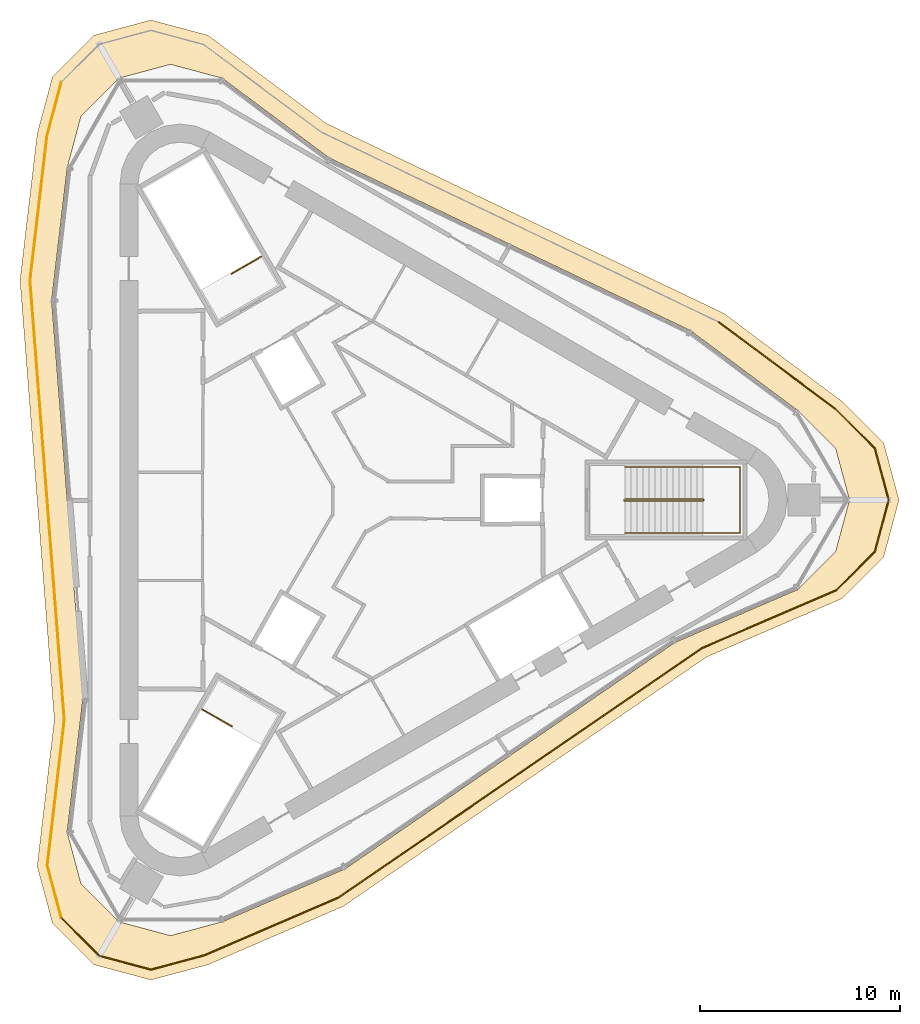
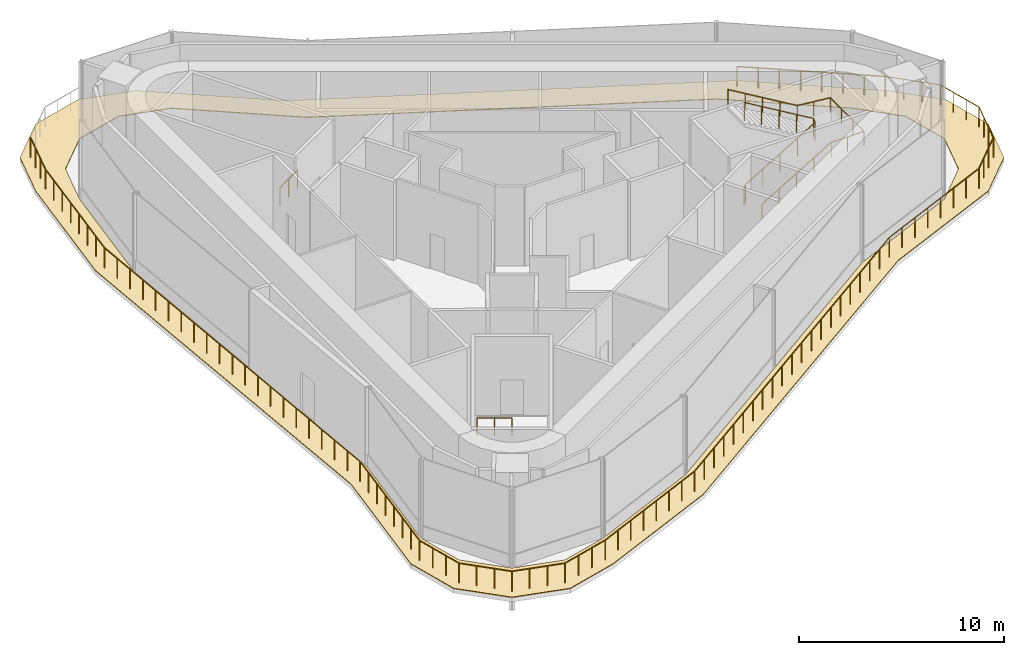
# One storey, part 7 of 8: 16 railings, 1 covering.
"""IFC4 building model written with IfcOpenShell, lengths in metres."""

from ifc_helpers import new_model, si_unit, direction, frame, origin, origin_2d, place, context, subcontext, project, spatial, polyline, circle, outline, extrude, material, layer, layer_set, type_object, element, save


model = new_model("IFC4")

# Units and contexts
model_context = context("Model", 3, precision=1e-05, world=origin(), true_north=direction((0.0, 1.0)))
body_context = subcontext(model_context, "Body", "Model", "MODEL_VIEW")
ifc_project = project(units=[si_unit("LENGTHUNIT", "METRE"), si_unit("AREAUNIT", "SQUARE_METRE"), si_unit("VOLUMEUNIT", "CUBIC_METRE"), si_unit("PLANEANGLEUNIT", "RADIAN"), si_unit("MASSUNIT", "GRAM", prefix="KILO")], contexts=[model_context])

# Site, building, storey
site_placement = place(None, origin())
site = spatial("IfcSite", under=ifc_project, at=site_placement, CompositionType="ELEMENT")
building_placement = place(site_placement, origin())
building = spatial("IfcBuilding", under=site, at=building_placement, Name="Tanit Gate Tower", CompositionType="ELEMENT")
storey_placement = place(building_placement, frame((0.0, 0.0, 440.300048828125)))
storey = spatial("IfcBuildingStorey", under=building, at=storey_placement, Name="L99", CompositionType="ELEMENT", Elevation=440.300048828125)

# Railings
ifc_material_1 = material(Name="Stainless steel", Category="steel")
railing_type_1 = type_object("IfcRailingType", Name="Guard 1200 terrace balustrade", PredefinedType="GUARDRAIL", material=ifc_material_1)
railing_1_placement = place(storey_placement, frame((23.6171875, 4.54150390625, 0.0400390625)))
element("IfcRailing", 1, at=railing_1_placement, inside=storey, type_object=railing_type_1, Name="Terrace guard L99 1", PredefinedType="GUARDRAIL", context=body_context, shape_type="SweptSolid", body=[
    extrude(circle(Radius=0.02392578125, at=origin_2d()), frame((0.0, 0.0, 1.17578125), z_axis=(0.707106781187, -0.707106781187, 0.0), x_axis=(0.707106781187, 0.707106781187, 0.0)), (0.0, 0.0, 1.0), 2.77099609375),
    extrude(circle(Radius=0.02392578125, at=origin_2d()), frame((1.95947265625, -1.95947265625, 1.17578125), z_axis=(0.258748259402, -0.965944790481, 0.0), x_axis=(0.965944790481, 0.258748259402, 0.0)), (0.0, 0.0, 1.0), 2.673095703125),
    extrude(circle(Radius=0.02099609375, at=origin_2d()), origin(), (0.0, 0.0, 1.0), 1.15185546875),
    extrude(circle(Radius=0.02099609375, at=origin_2d()), frame((0.653076171875, -0.653076171875, 0.0)), (0.0, 0.0, 1.0), 1.15185546875),
    extrude(circle(Radius=0.02099609375, at=origin_2d()), frame((1.306396484375, -1.306396484375, 0.0)), (0.0, 0.0, 1.0), 1.15185546875),
    extrude(circle(Radius=0.02099609375, at=origin_2d()), frame((1.95947265625, -1.95947265625, 0.0)), (0.0, 0.0, 1.0), 1.15185546875),
    extrude(circle(Radius=0.02099609375, at=origin_2d()), frame((2.18994140625, -2.820068359375, 0.0)), (0.0, 0.0, 1.0), 1.15185546875),
    extrude(circle(Radius=0.02099609375, at=origin_2d()), frame((2.420654296875, -3.680908203125, 0.0)), (0.0, 0.0, 1.0), 1.15185546875),
    extrude(circle(Radius=0.02099609375, at=origin_2d()), frame((2.651123046875, -4.54150390625, 0.0)), (0.0, 0.0, 1.0), 1.15185546875),
])
railing_2_placement = place(storey_placement, frame((26.268310546875, 0.0, 0.0400390625)))
element("IfcRailing", 2, at=railing_2_placement, inside=storey, type_object=railing_type_1, Name="Terrace guard L99 1", PredefinedType="GUARDRAIL", context=body_context, shape_type="SweptSolid", body=[
    extrude(circle(Radius=0.02392578125, at=origin_2d()), frame((0.0, 0.0, 1.17578125), z_axis=(-0.258748259402, -0.965944790481, 0.0), x_axis=(0.965944790481, -0.258748259402, 0.0)), (0.0, 0.0, 1.0), 2.673095703125),
    extrude(circle(Radius=0.02392578125, at=origin_2d()), frame((-0.691650390625, -2.58203125, 1.17578125), z_axis=(-0.707106781187, -0.707106781187, 0.0), x_axis=(0.707106781187, -0.707106781187, 0.0)), (0.0, 0.0, 1.0), 2.711669921875),
    extrude(circle(Radius=0.02099609375, at=origin_2d()), origin(), (0.0, 0.0, 1.0), 1.15185546875),
    extrude(circle(Radius=0.02099609375, at=origin_2d()), frame((-0.23046875, -0.860595703125, 0.0)), (0.0, 0.0, 1.0), 1.15185546875),
    extrude(circle(Radius=0.02099609375, at=origin_2d()), frame((-0.461181640625, -1.721435546875, 0.0)), (0.0, 0.0, 1.0), 1.15185546875),
    extrude(circle(Radius=0.02099609375, at=origin_2d()), frame((-0.691650390625, -2.58203125, 0.0)), (0.0, 0.0, 1.0), 1.15185546875),
    extrude(circle(Radius=0.02099609375, at=origin_2d()), frame((-1.330810546875, -3.22119140625, 0.0)), (0.0, 0.0, 1.0), 1.15185546875),
    extrude(circle(Radius=0.02099609375, at=origin_2d()), frame((-1.969970703125, -3.8603515625, 0.0)), (0.0, 0.0, 1.0), 1.15185546875),
    extrude(circle(Radius=0.02099609375, at=origin_2d()), frame((-2.609130859375, -4.49951171875, 0.0)), (0.0, 0.0, 1.0), 1.15185546875),
])
railing_3_placement = place(storey_placement, frame((23.6591796875, -4.49951171875, 0.0400390625)))
element("IfcRailing", 3, at=railing_3_placement, inside=storey, type_object=railing_type_1, Name="Terrace guard L99 1", PredefinedType="GUARDRAIL", context=body_context, shape_type="SweptSolid", body=[
    extrude(circle(Radius=0.02392578125, at=origin_2d()), frame((0.0, 0.0, 1.17578125), z_axis=(-0.918303791551, -0.395876428224, 0.0), x_axis=(0.395876428224, -0.918303791551, 0.0)), (0.0, 0.0, 1.0), 7.3134765625),
    extrude(circle(Radius=0.02099609375, at=origin_2d()), origin(), (0.0, 0.0, 1.0), 1.15185546875),
    extrude(circle(Radius=0.02099609375, at=origin_2d()), frame((-0.95947265625, -0.41357421875, 0.0)), (0.0, 0.0, 1.0), 1.15185546875),
    extrude(circle(Radius=0.02099609375, at=origin_2d()), frame((-1.9189453125, -0.8271484375, 0.0)), (0.0, 0.0, 1.0), 1.15185546875),
    extrude(circle(Radius=0.02099609375, at=origin_2d()), frame((-2.87841796875, -1.24072265625, 0.0)), (0.0, 0.0, 1.0), 1.15185546875),
    extrude(circle(Radius=0.02099609375, at=origin_2d()), frame((-3.837646484375, -1.654541015625, 0.0)), (0.0, 0.0, 1.0), 1.15185546875),
    extrude(circle(Radius=0.02099609375, at=origin_2d()), frame((-4.797119140625, -2.068115234375, 0.0)), (0.0, 0.0, 1.0), 1.15185546875),
    extrude(circle(Radius=0.02099609375, at=origin_2d()), frame((-5.756591796875, -2.481689453125, 0.0)), (0.0, 0.0, 1.0), 1.15185546875),
    extrude(circle(Radius=0.02099609375, at=origin_2d()), frame((-6.716064453125, -2.895263671875, 0.0)), (0.0, 0.0, 1.0), 1.15185546875),
])
railing_4_placement = place(storey_placement, frame((16.943115234375, -7.394775390625, 0.0400390625)))
element("IfcRailing", 4, at=railing_4_placement, inside=storey, type_object=railing_type_1, Name="Terrace guard L99 1", PredefinedType="GUARDRAIL", context=body_context, shape_type="SweptSolid", body=[
    extrude(circle(Radius=0.02392578125, at=origin_2d()), frame((0.0, 0.0, 1.17578125), z_axis=(-0.824485940476, -0.565882438283, 0.0), x_axis=(0.565882438283, -0.824485940476, 0.0)), (0.0, 0.0, 1.0), 10.99951171875),
    extrude(circle(Radius=0.02099609375, at=origin_2d()), origin(), (0.0, 0.0, 1.0), 1.15185546875),
    extrude(circle(Radius=0.02099609375, at=origin_2d()), frame((-0.906982421875, -0.62255859375, 0.0)), (0.0, 0.0, 1.0), 1.15185546875),
    extrude(circle(Radius=0.02099609375, at=origin_2d()), frame((-1.813720703125, -1.244873046875, 0.0)), (0.0, 0.0, 1.0), 1.15185546875),
    extrude(circle(Radius=0.02099609375, at=origin_2d()), frame((-2.720703125, -1.8671875, 0.0)), (0.0, 0.0, 1.0), 1.15185546875),
    extrude(circle(Radius=0.02099609375, at=origin_2d()), frame((-3.62744140625, -2.48974609375, 0.0)), (0.0, 0.0, 1.0), 1.15185546875),
    extrude(circle(Radius=0.02099609375, at=origin_2d()), frame((-4.534423828125, -3.1123046875, 0.0)), (0.0, 0.0, 1.0), 1.15185546875),
    extrude(circle(Radius=0.02099609375, at=origin_2d()), frame((-5.44140625, -3.734619140625, 0.0)), (0.0, 0.0, 1.0), 1.15185546875),
    extrude(circle(Radius=0.02099609375, at=origin_2d()), frame((-6.34814453125, -4.35693359375, 0.0)), (0.0, 0.0, 1.0), 1.15185546875),
    extrude(circle(Radius=0.02099609375, at=origin_2d()), frame((-7.255126953125, -4.9794921875, 0.0)), (0.0, 0.0, 1.0), 1.15185546875),
    extrude(circle(Radius=0.02099609375, at=origin_2d()), frame((-8.161865234375, -5.60205078125, 0.0)), (0.0, 0.0, 1.0), 1.15185546875),
    extrude(circle(Radius=0.02099609375, at=origin_2d()), frame((-9.06884765625, -6.224365234375, 0.0)), (0.0, 0.0, 1.0), 1.15185546875),
])
railing_5_placement = place(storey_placement, frame((7.874267578125, -13.619140625, 0.0400390625)))
element("IfcRailing", 5, at=railing_5_placement, inside=storey, type_object=railing_type_1, Name="Terrace guard L99 1", PredefinedType="GUARDRAIL", context=body_context, shape_type="SweptSolid", body=[
    extrude(circle(Radius=0.02392578125, at=origin_2d()), frame((0.0, 0.0, 1.17578125), z_axis=(-0.82447558474, -0.565897526208, 0.0), x_axis=(0.565897526208, -0.82447558474, 0.0)), (0.0, 0.0, 1.0), 10.99951171875),
    extrude(circle(Radius=0.02099609375, at=origin_2d()), origin(), (0.0, 0.0, 1.0), 1.15185546875),
    extrude(circle(Radius=0.02099609375, at=origin_2d()), frame((-0.906982421875, -0.62255859375, 0.0)), (0.0, 0.0, 1.0), 1.15185546875),
    extrude(circle(Radius=0.02099609375, at=origin_2d()), frame((-1.813720703125, -1.244873046875, 0.0)), (0.0, 0.0, 1.0), 1.15185546875),
    extrude(circle(Radius=0.02099609375, at=origin_2d()), frame((-2.720703125, -1.867431640625, 0.0)), (0.0, 0.0, 1.0), 1.15185546875),
    extrude(circle(Radius=0.02099609375, at=origin_2d()), frame((-3.62744140625, -2.48974609375, 0.0)), (0.0, 0.0, 1.0), 1.15185546875),
    extrude(circle(Radius=0.02099609375, at=origin_2d()), frame((-4.534423828125, -3.1123046875, 0.0)), (0.0, 0.0, 1.0), 1.15185546875),
    extrude(circle(Radius=0.02099609375, at=origin_2d()), frame((-5.44140625, -3.73486328125, 0.0)), (0.0, 0.0, 1.0), 1.15185546875),
    extrude(circle(Radius=0.02099609375, at=origin_2d()), frame((-6.34814453125, -4.357177734375, 0.0)), (0.0, 0.0, 1.0), 1.15185546875),
    extrude(circle(Radius=0.02099609375, at=origin_2d()), frame((-7.255126953125, -4.979736328125, 0.0)), (0.0, 0.0, 1.0), 1.15185546875),
    extrude(circle(Radius=0.02099609375, at=origin_2d()), frame((-8.161865234375, -5.60205078125, 0.0)), (0.0, 0.0, 1.0), 1.15185546875),
    extrude(circle(Radius=0.02099609375, at=origin_2d()), frame((-9.06884765625, -6.224609375, 0.0)), (0.0, 0.0, 1.0), 1.15185546875),
])
railing_6_placement = place(storey_placement, frame((-1.194580078125, -19.84375, 0.0400390625)))
element("IfcRailing", 6, at=railing_6_placement, inside=storey, type_object=railing_type_1, Name="Terrace guard L99 1", PredefinedType="GUARDRAIL", context=body_context, shape_type="SweptSolid", body=[
    extrude(circle(Radius=0.02392578125, at=origin_2d()), frame((0.0, 0.0, 1.17578125), z_axis=(-0.91830810231, -0.395866428523, 0.0), x_axis=(0.395866428523, -0.91830810231, 0.0)), (0.0, 0.0, 1.0), 7.275390625),
    extrude(circle(Radius=0.02392578125, at=origin_2d()), frame((-6.68115234375, -2.880126953125, 1.17578125), z_axis=(-0.965931532633, -0.258797747796, 0.0), x_axis=(0.258797747796, -0.965931532633, 0.0)), (0.0, 0.0, 1.0), 2.770751953125),
    extrude(circle(Radius=0.02099609375, at=origin_2d()), origin(), (0.0, 0.0, 1.0), 1.15185546875),
    extrude(circle(Radius=0.02099609375, at=origin_2d()), frame((-0.954345703125, -0.411376953125, 0.0)), (0.0, 0.0, 1.0), 1.15185546875),
    extrude(circle(Radius=0.02099609375, at=origin_2d()), frame((-1.908935546875, -0.822998046875, 0.0)), (0.0, 0.0, 1.0), 1.15185546875),
    extrude(circle(Radius=0.02099609375, at=origin_2d()), frame((-2.86328125, -1.234375, 0.0)), (0.0, 0.0, 1.0), 1.15185546875),
    extrude(circle(Radius=0.02099609375, at=origin_2d()), frame((-3.81787109375, -1.645751953125, 0.0)), (0.0, 0.0, 1.0), 1.15185546875),
    extrude(circle(Radius=0.02099609375, at=origin_2d()), frame((-4.772216796875, -2.05712890625, 0.0)), (0.0, 0.0, 1.0), 1.15185546875),
    extrude(circle(Radius=0.02099609375, at=origin_2d()), frame((-5.726806640625, -2.46875, 0.0)), (0.0, 0.0, 1.0), 1.15185546875),
    extrude(circle(Radius=0.02099609375, at=origin_2d()), frame((-6.68115234375, -2.880126953125, 0.0)), (0.0, 0.0, 1.0), 1.15185546875),
    extrude(circle(Radius=0.02099609375, at=origin_2d()), frame((-7.5732421875, -3.119140625, 0.0)), (0.0, 0.0, 1.0), 1.15185546875),
    extrude(circle(Radius=0.02099609375, at=origin_2d()), frame((-8.46533203125, -3.358154296875, 0.0)), (0.0, 0.0, 1.0), 1.15185546875),
    extrude(circle(Radius=0.02099609375, at=origin_2d()), frame((-9.357421875, -3.59716796875, 0.0)), (0.0, 0.0, 1.0), 1.15185546875),
])
railing_7_placement = place(storey_placement, frame((-10.552001953125, -23.44091796875, 0.0400390625)))
element("IfcRailing", 7, at=railing_7_placement, inside=storey, type_object=railing_type_1, Name="Terrace guard L99 1", PredefinedType="GUARDRAIL", context=body_context, shape_type="SweptSolid", body=[
    extrude(circle(Radius=0.02392578125, at=origin_2d()), frame((0.0, 0.0, 1.17578125), z_axis=(-0.965928077566, 0.258810643077, 0.0), x_axis=(-0.258810643077, -0.965928077566, 0.0)), (0.0, 0.0, 1.0), 2.67333984375),
    extrude(circle(Radius=0.02392578125, at=origin_2d()), frame((-2.582275390625, 0.69189453125, 1.17578125), z_axis=(-0.707106781187, 0.707106781187, 0.0), x_axis=(-0.707106781187, -0.707106781187, 0.0)), (0.0, 0.0, 1.0), 2.673095703125),
    extrude(circle(Radius=0.02099609375, at=origin_2d()), origin(), (0.0, 0.0, 1.0), 1.15185546875),
    extrude(circle(Radius=0.02099609375, at=origin_2d()), frame((-0.86083984375, 0.230712890625, 0.0)), (0.0, 0.0, 1.0), 1.15185546875),
    extrude(circle(Radius=0.02099609375, at=origin_2d()), frame((-1.721435546875, 0.461181640625, 0.0)), (0.0, 0.0, 1.0), 1.15185546875),
    extrude(circle(Radius=0.02099609375, at=origin_2d()), frame((-2.582275390625, 0.69189453125, 0.0)), (0.0, 0.0, 1.0), 1.15185546875),
    extrude(circle(Radius=0.02099609375, at=origin_2d()), frame((-3.21240234375, 1.322021484375, 0.0)), (0.0, 0.0, 1.0), 1.15185546875),
    extrude(circle(Radius=0.02099609375, at=origin_2d()), frame((-3.84228515625, 1.951904296875, 0.0)), (0.0, 0.0, 1.0), 1.15185546875),
    extrude(circle(Radius=0.02099609375, at=origin_2d()), frame((-4.472412109375, 2.58203125, 0.0)), (0.0, 0.0, 1.0), 1.15185546875),
])
railing_8_placement = place(storey_placement, frame((-15.0244140625, -20.85888671875, 0.0400390625)))
element("IfcRailing", 8, at=railing_8_placement, inside=storey, type_object=railing_type_1, Name="Terrace guard L99 1", PredefinedType="GUARDRAIL", context=body_context, shape_type="SweptSolid", body=[
    extrude(circle(Radius=0.02392578125, at=origin_2d()), frame((0.0, 0.0, 1.17578125), z_axis=(-0.258856096713, 0.965915897578, 0.0), x_axis=(-0.965915897578, -0.258856096713, 0.0)), (0.0, 0.0, 1.0), 2.711669921875),
    extrude(circle(Radius=0.02392578125, at=origin_2d()), frame((-0.701904296875, 2.619140625, 1.17578125), z_axis=(0.11633571969, 0.993209947757, 0.0), x_axis=(-0.993209947757, 0.11633571969, 0.0)), (0.0, 0.0, 1.0), 7.3134765625),
    extrude(circle(Radius=0.02099609375, at=origin_2d()), origin(), (0.0, 0.0, 1.0), 1.15185546875),
    extrude(circle(Radius=0.02099609375, at=origin_2d()), frame((-0.23388671875, 0.873046875, 0.0)), (0.0, 0.0, 1.0), 1.15185546875),
    extrude(circle(Radius=0.02099609375, at=origin_2d()), frame((-0.468017578125, 1.74609375, 0.0)), (0.0, 0.0, 1.0), 1.15185546875),
    extrude(circle(Radius=0.02099609375, at=origin_2d()), frame((-0.701904296875, 2.619140625, 0.0)), (0.0, 0.0, 1.0), 1.15185546875),
    extrude(circle(Radius=0.02099609375, at=origin_2d()), frame((-0.580322265625, 3.65673828125, 0.0)), (0.0, 0.0, 1.0), 1.15185546875),
    extrude(circle(Radius=0.02099609375, at=origin_2d()), frame((-0.458740234375, 4.694580078125, 0.0)), (0.0, 0.0, 1.0), 1.15185546875),
    extrude(circle(Radius=0.02099609375, at=origin_2d()), frame((-0.337158203125, 5.732177734375, 0.0)), (0.0, 0.0, 1.0), 1.15185546875),
    extrude(circle(Radius=0.02099609375, at=origin_2d()), frame((-0.2158203125, 6.77001953125, 0.0)), (0.0, 0.0, 1.0), 1.15185546875),
    extrude(circle(Radius=0.02099609375, at=origin_2d()), frame((-0.09423828125, 7.8076171875, 0.0)), (0.0, 0.0, 1.0), 1.15185546875),
    extrude(circle(Radius=0.02099609375, at=origin_2d()), frame((0.02734375, 8.845458984375, 0.0)), (0.0, 0.0, 1.0), 1.15185546875),
    extrude(circle(Radius=0.02099609375, at=origin_2d()), frame((0.14892578125, 9.883056640625, 0.0)), (0.0, 0.0, 1.0), 1.15185546875),
])
for number, where, name in (
    (9, (-14.87548828125, -10.975830078125, 0.0400390625), "Terrace guard L99 1"),
    (10, (-15.731689453125, -0.009765625, 0.0400390625), "Terrace guard L99 1"),
):
    element("IfcRailing", number, at=place(storey_placement, frame(where)), inside=storey, type_object=railing_type_1, Name=name, PredefinedType="GUARDRAIL", context=body_context, shape_type="SweptSolid", body=[
        extrude(circle(Radius=0.02392578125, at=origin_2d()), frame((0.0, 0.0, 1.17578125), z_axis=(-0.077840442696, 0.996965829646, 0.0), x_axis=(-0.996965829646, -0.077840442696, 0.0)), (0.0, 0.0, 1.0), 10.99951171875),
        extrude(circle(Radius=0.02099609375, at=origin_2d()), origin(), (0.0, 0.0, 1.0), 1.15185546875),
        extrude(circle(Radius=0.02099609375, at=origin_2d()), frame((-0.085693359375, 1.0966796875, 0.0)), (0.0, 0.0, 1.0), 1.15185546875),
        extrude(circle(Radius=0.02099609375, at=origin_2d()), frame((-0.171142578125, 2.193115234375, 0.0)), (0.0, 0.0, 1.0), 1.15185546875),
        extrude(circle(Radius=0.02099609375, at=origin_2d()), frame((-0.2568359375, 3.289794921875, 0.0)), (0.0, 0.0, 1.0), 1.15185546875),
        extrude(circle(Radius=0.02099609375, at=origin_2d()), frame((-0.342529296875, 4.386474609375, 0.0)), (0.0, 0.0, 1.0), 1.15185546875),
        extrude(circle(Radius=0.02099609375, at=origin_2d()), frame((-0.42822265625, 5.48291015625, 0.0)), (0.0, 0.0, 1.0), 1.15185546875),
        extrude(circle(Radius=0.02099609375, at=origin_2d()), frame((-0.513671875, 6.57958984375, 0.0)), (0.0, 0.0, 1.0), 1.15185546875),
        extrude(circle(Radius=0.02099609375, at=origin_2d()), frame((-0.599365234375, 7.67626953125, 0.0)), (0.0, 0.0, 1.0), 1.15185546875),
        extrude(circle(Radius=0.02099609375, at=origin_2d()), frame((-0.68505859375, 8.77294921875, 0.0)), (0.0, 0.0, 1.0), 1.15185546875),
        extrude(circle(Radius=0.02099609375, at=origin_2d()), frame((-0.7705078125, 9.869384765625, 0.0)), (0.0, 0.0, 1.0), 1.15185546875),
        extrude(circle(Radius=0.02099609375, at=origin_2d()), frame((-0.856201171875, 10.966064453125, 0.0)), (0.0, 0.0, 1.0), 1.15185546875),
    ])
railing_9_placement = place(storey_placement, frame((-16.587890625, 10.956298828125, 0.0400390625)))
element("IfcRailing", 11, at=railing_9_placement, inside=storey, type_object=railing_type_1, Name="Terrace guard L99 1", PredefinedType="GUARDRAIL", context=body_context, shape_type="SweptSolid", body=[
    extrude(circle(Radius=0.02392578125, at=origin_2d()), frame((0.0, 0.0, 1.17578125), z_axis=(0.116307758268, 0.993213222509, 0.0), x_axis=(-0.993213222509, 0.116307758268, 0.0)), (0.0, 0.0, 1.0), 7.275390625),
    extrude(circle(Radius=0.02392578125, at=origin_2d()), frame((0.84619140625, 7.22607421875, 1.17578125), z_axis=(0.258857928046, 0.965915406797, 0.0), x_axis=(-0.965915406797, 0.258857928046, 0.0)), (0.0, 0.0, 1.0), 2.77099609375),
    extrude(circle(Radius=0.02099609375, at=origin_2d()), origin(), (0.0, 0.0, 1.0), 1.15185546875),
    extrude(circle(Radius=0.02099609375, at=origin_2d()), frame((0.120849609375, 1.0322265625, 0.0)), (0.0, 0.0, 1.0), 1.15185546875),
    extrude(circle(Radius=0.02099609375, at=origin_2d()), frame((0.24169921875, 2.064697265625, 0.0)), (0.0, 0.0, 1.0), 1.15185546875),
    extrude(circle(Radius=0.02099609375, at=origin_2d()), frame((0.362548828125, 3.096923828125, 0.0)), (0.0, 0.0, 1.0), 1.15185546875),
    extrude(circle(Radius=0.02099609375, at=origin_2d()), frame((0.483642578125, 4.129150390625, 0.0)), (0.0, 0.0, 1.0), 1.15185546875),
    extrude(circle(Radius=0.02099609375, at=origin_2d()), frame((0.6044921875, 5.161376953125, 0.0)), (0.0, 0.0, 1.0), 1.15185546875),
    extrude(circle(Radius=0.02099609375, at=origin_2d()), frame((0.725341796875, 6.19384765625, 0.0)), (0.0, 0.0, 1.0), 1.15185546875),
    extrude(circle(Radius=0.02099609375, at=origin_2d()), frame((0.84619140625, 7.22607421875, 0.0)), (0.0, 0.0, 1.0), 1.15185546875),
    extrude(circle(Radius=0.02099609375, at=origin_2d()), frame((1.085205078125, 8.1181640625, 0.0)), (0.0, 0.0, 1.0), 1.15185546875),
    extrude(circle(Radius=0.02099609375, at=origin_2d()), frame((1.324462890625, 9.010498046875, 0.0)), (0.0, 0.0, 1.0), 1.15185546875),
    extrude(circle(Radius=0.02099609375, at=origin_2d()), frame((1.5634765625, 9.902587890625, 0.0)), (0.0, 0.0, 1.0), 1.15185546875),
])
railing_10_placement = place(storey_placement, frame((17.782470703125, 8.887451171875, 0.0400390625)))
element("IfcRailing", 12, at=railing_10_placement, inside=storey, type_object=railing_type_1, Name="Terrace guard L99 1", PredefinedType="GUARDRAIL", context=body_context, shape_type="SweptSolid", body=[
    extrude(circle(Radius=0.02392578125, at=origin_2d()), frame((0.0, 0.0, 1.17578125), z_axis=(0.801980858269, -0.597349732543, 0.0), x_axis=(0.597349732543, 0.801980858269, 0.0)), (0.0, 0.0, 1.0), 7.275390625),
    extrude(circle(Radius=0.02099609375, at=origin_2d()), origin(), (0.0, 0.0, 1.0), 1.15185546875),
    extrude(circle(Radius=0.02099609375, at=origin_2d()), frame((0.83349609375, -0.620849609375, 0.0)), (0.0, 0.0, 1.0), 1.15185546875),
    extrude(circle(Radius=0.02099609375, at=origin_2d()), frame((1.6669921875, -1.24169921875, 0.0)), (0.0, 0.0, 1.0), 1.15185546875),
    extrude(circle(Radius=0.02099609375, at=origin_2d()), frame((2.50048828125, -1.862548828125, 0.0)), (0.0, 0.0, 1.0), 1.15185546875),
    extrude(circle(Radius=0.02099609375, at=origin_2d()), frame((3.334228515625, -2.4833984375, 0.0)), (0.0, 0.0, 1.0), 1.15185546875),
    extrude(circle(Radius=0.02099609375, at=origin_2d()), frame((4.167724609375, -3.104248046875, 0.0)), (0.0, 0.0, 1.0), 1.15185546875),
    extrude(circle(Radius=0.02099609375, at=origin_2d()), frame((5.001220703125, -3.72509765625, 0.0)), (0.0, 0.0, 1.0), 1.15185546875),
    extrude(circle(Radius=0.02099609375, at=origin_2d()), frame((5.834716796875, -4.345947265625, 0.0)), (0.0, 0.0, 1.0), 1.15185546875),
])
ifc_material_2 = material(Name="Stainless steel balustrade", Category="steel")
railing_type_2 = type_object("IfcRailingType", Name="INT-STAIR-GUARD", PredefinedType="GUARDRAIL", material=ifc_material_2)
railing_11_placement = place(storey_placement, frame((13.044921875, 0.0048828125, 0.0)))
element("IfcRailing", 13, at=railing_11_placement, inside=storey, type_object=railing_type_2, Name="L99 S1 stair guard 1", PredefinedType="GUARDRAIL", context=body_context, shape_type="SweptSolid", body=[
    extrude(circle(Radius=0.02392578125, at=origin_2d()), frame((0.0, 0.0, 1.076171875), z_axis=(0.0, -1.0, 0.0), x_axis=(1.0, 0.0, 0.0)), (0.0, 0.0, 1.0), 0.009765625),
    extrude(circle(Radius=0.02392578125, at=origin_2d()), frame((0.0, -0.009765625, 1.076171875), z_axis=(0.260684529273, -0.260684529273, 0.929562882432), x_axis=(0.707106781187, 0.707106781187, 0.0)), (0.0, 0.0, 1.0), 0.19189453125),
    extrude(circle(Radius=0.02392578125, at=origin_2d()), frame((0.050048828125, -0.059814453125, 1.25439453125), z_axis=(0.859291195736, 0.0, 0.511486696729), x_axis=(0.0, 1.0, 0.0)), (0.0, 0.0, 1.0), 4.538818359375),
    extrude(circle(Radius=0.02392578125, at=origin_2d()), frame((3.9501953125, -0.059814453125, 3.576171875), z_axis=(0.705375805398, 0.708833529934, 0.0), x_axis=(-0.708833529934, 0.705375805398, 0.0)), (0.0, 0.0, 1.0), 0.070556640625),
    extrude(circle(Radius=0.02392578125, at=origin_2d()), frame((4.0, -0.009765625, 3.576171875), z_axis=(0.0, 1.0, 0.0), x_axis=(-1.0, 0.0, 0.0)), (0.0, 0.0, 1.0), 0.009765625),
    extrude(circle(Radius=0.02392578125, at=origin_2d()), frame((4.0, 0.0, 3.576171875), z_axis=(-0.25949872427, 0.26077077684, 0.929870428634), x_axis=(-0.708833529934, -0.705375805398, 0.0)), (0.0, 0.0, 1.0), 0.19189453125),
    extrude(circle(Radius=0.02392578125, at=origin_2d()), frame((3.9501953125, 0.050048828125, 3.75439453125), z_axis=(-0.859291195736, 0.0, 0.511486696729), x_axis=(0.0, -1.0, 0.0)), (0.0, 0.0, 1.0), 4.538818359375),
    extrude(circle(Radius=0.02099609375, at=origin_2d()), origin(), (0.0, 0.0, 1.0), 1.052001953125),
    extrude(circle(Radius=0.02099609375, at=origin_2d()), frame((0.0, -0.009765625, 0.0)), (0.0, 0.0, 1.0), 1.052001953125),
    extrude(circle(Radius=0.02099609375, at=origin_2d()), frame((0.050048828125, -0.059814453125, 0.178466796875)), (0.0, 0.0, 1.0), 1.052001953125),
    extrude(circle(Radius=0.02099609375, at=origin_2d()), frame((1.025146484375, -0.059814453125, 0.7587890625)), (0.0, 0.0, 1.0), 1.052001953125),
    extrude(circle(Radius=0.02099609375, at=origin_2d()), frame((2.0, -0.059814453125, 1.33935546875)), (0.0, 0.0, 1.0), 1.052001953125),
    extrude(circle(Radius=0.02099609375, at=origin_2d()), frame((2.97509765625, -0.059814453125, 1.919677734375)), (0.0, 0.0, 1.0), 1.052001953125),
    extrude(circle(Radius=0.02099609375, at=origin_2d()), frame((3.9501953125, -0.059814453125, 2.5)), (0.0, 0.0, 1.0), 1.052001953125),
    extrude(circle(Radius=0.02099609375, at=origin_2d()), frame((4.0, -0.009765625, 2.5)), (0.0, 0.0, 1.0), 1.052001953125),
    extrude(circle(Radius=0.02099609375, at=origin_2d()), frame((4.0, 0.0, 2.5)), (0.0, 0.0, 1.0), 1.052001953125),
    extrude(circle(Radius=0.02099609375, at=origin_2d()), frame((3.9501953125, 0.050048828125, 2.678466796875)), (0.0, 0.0, 1.0), 1.052001953125),
    extrude(circle(Radius=0.02099609375, at=origin_2d()), frame((2.97509765625, 0.050048828125, 3.2587890625)), (0.0, 0.0, 1.0), 1.052001953125),
    extrude(circle(Radius=0.02099609375, at=origin_2d()), frame((2.0, 0.050048828125, 3.83935546875)), (0.0, 0.0, 1.0), 1.052001953125),
    extrude(circle(Radius=0.02099609375, at=origin_2d()), frame((1.025146484375, 0.050048828125, 4.419677734375)), (0.0, 0.0, 1.0), 1.052001953125),
    extrude(circle(Radius=0.02099609375, at=origin_2d()), frame((0.050048828125, 0.050048828125, 5.0)), (0.0, 0.0, 1.0), 1.052001953125),
])
railing_12_placement = place(storey_placement, frame((-5.0498046875, 12.146484375, 0.0)))
element("IfcRailing", 14, at=railing_12_placement, inside=storey, type_object=railing_type_2, Name="L99 S2 top well guard 1", PredefinedType="GUARDRAIL", context=body_context, shape_type="SweptSolid", body=[
    extrude(circle(Radius=0.02392578125, at=origin_2d()), frame((0.0, 0.0, 1.076171875), z_axis=(-0.86599729716, -0.500048678942, 0.0), x_axis=(0.500048678942, -0.86599729716, 0.0)), (0.0, 0.0, 1.0), 1.705810546875),
    extrude(circle(Radius=0.02099609375, at=origin_2d()), origin(), (0.0, 0.0, 1.0), 1.052001953125),
    extrude(circle(Radius=0.02099609375, at=origin_2d()), frame((-0.73876953125, -0.426513671875, 0.0)), (0.0, 0.0, 1.0), 1.052001953125),
    extrude(circle(Radius=0.02099609375, at=origin_2d()), frame((-1.477294921875, -0.85302734375, 0.0)), (0.0, 0.0, 1.0), 1.052001953125),
])
railing_13_placement = place(storey_placement, frame((-7.99462890625, -10.447265625, 0.0)))
element("IfcRailing", 15, at=railing_13_placement, inside=storey, type_object=railing_type_2, Name="L99 S3 top well guard 1", PredefinedType="GUARDRAIL", context=body_context, shape_type="SweptSolid", body=[
    extrude(circle(Radius=0.02392578125, at=origin_2d()), frame((0.0, 0.0, 1.076171875), z_axis=(0.866013897511, -0.50001992892, 0.0), x_axis=(0.50001992892, 0.866013897511, 0.0)), (0.0, 0.0, 1.0), 1.705078125),
    extrude(circle(Radius=0.02099609375, at=origin_2d()), origin(), (0.0, 0.0, 1.0), 1.052001953125),
    extrude(circle(Radius=0.02099609375, at=origin_2d()), frame((0.73828125, -0.42626953125, 0.0)), (0.0, 0.0, 1.0), 1.052001953125),
    extrude(circle(Radius=0.02099609375, at=origin_2d()), frame((1.4765625, -0.8525390625, 0.0)), (0.0, 0.0, 1.0), 1.052001953125),
])
ifc_material_3 = material(Name="Stainless steel handrail", Category="steel")
railing_type_3 = type_object("IfcRailingType", Name="INT-STAIR-HANDRAIL", PredefinedType="HANDRAIL", material=ifc_material_3)
railing_14_placement = place(storey_placement, frame((13.094970703125, -1.64990234375, 0.178466796875)))
element("IfcRailing", 16, at=railing_14_placement, inside=storey, type_object=railing_type_3, Name="L99 S1 stair handrail 1", PredefinedType="HANDRAIL", context=body_context, shape_type="SweptSolid", body=[
    extrude(circle(Radius=0.02392578125, at=origin_2d()), frame((0.0, 0.0, 0.8759765625), z_axis=(0.859291195736, 0.0, 0.511486696729), x_axis=(0.0, 1.0, 0.0)), (0.0, 0.0, 1.0), 4.538818359375),
    extrude(circle(Radius=0.02392578125, at=origin_2d()), frame((3.900146484375, 0.0, 3.197265625), z_axis=(1.0, 0.0, 0.0), x_axis=(0.0, 1.0, 0.0)), (0.0, 0.0, 1.0), 1.85498046875),
    extrude(circle(Radius=0.02392578125, at=origin_2d()), frame((5.755126953125, 0.0, 3.197265625), z_axis=(0.0, 1.0, 0.0), x_axis=(-1.0, 0.0, 0.0)), (0.0, 0.0, 1.0), 3.2998046875),
    extrude(circle(Radius=0.02392578125, at=origin_2d()), frame((5.755126953125, 3.2998046875, 3.197265625), z_axis=(-0.995403746914, 0.0, 0.09576732548), x_axis=(0.0, -1.0, 0.0)), (0.0, 0.0, 1.0), 1.863525390625),
    extrude(circle(Radius=0.02392578125, at=origin_2d()), frame((3.900146484375, 3.2998046875, 3.3759765625), z_axis=(-0.859291195736, 0.0, 0.511486696729), x_axis=(0.0, -1.0, 0.0)), (0.0, 0.0, 1.0), 4.538818359375),
    extrude(circle(Radius=0.02099609375, at=origin_2d()), origin(), (0.0, 0.0, 1.0), 0.851806640625),
    extrude(circle(Radius=0.02099609375, at=origin_2d()), frame((0.97509765625, 0.0, 0.580322265625)), (0.0, 0.0, 1.0), 0.851806640625),
    extrude(circle(Radius=0.02099609375, at=origin_2d()), frame((1.9501953125, 0.0, 1.16064453125)), (0.0, 0.0, 1.0), 0.851806640625),
    extrude(circle(Radius=0.02099609375, at=origin_2d()), frame((2.925048828125, 0.0, 1.7412109375)), (0.0, 0.0, 1.0), 0.851806640625),
    extrude(circle(Radius=0.02099609375, at=origin_2d()), frame((3.900146484375, 0.0, 2.321533203125)), (0.0, 0.0, 1.0), 0.851806640625),
    extrude(circle(Radius=0.02099609375, at=origin_2d()), frame((4.82763671875, 0.0, 2.321533203125)), (0.0, 0.0, 1.0), 0.851806640625),
    extrude(circle(Radius=0.02099609375, at=origin_2d()), frame((5.755126953125, 0.0, 2.321533203125)), (0.0, 0.0, 1.0), 0.851806640625),
    extrude(circle(Radius=0.02099609375, at=origin_2d()), frame((5.755126953125, 1.099853515625, 2.321533203125)), (0.0, 0.0, 1.0), 0.851806640625),
    extrude(circle(Radius=0.02099609375, at=origin_2d()), frame((5.755126953125, 2.199951171875, 2.321533203125)), (0.0, 0.0, 1.0), 0.851806640625),
    extrude(circle(Radius=0.02099609375, at=origin_2d()), frame((5.755126953125, 3.2998046875, 2.321533203125)), (0.0, 0.0, 1.0), 0.851806640625),
    extrude(circle(Radius=0.02099609375, at=origin_2d()), frame((4.82763671875, 3.2998046875, 2.41064453125)), (0.0, 0.0, 1.0), 0.851806640625),
    extrude(circle(Radius=0.02099609375, at=origin_2d()), frame((3.900146484375, 3.2998046875, 2.5)), (0.0, 0.0, 1.0), 0.851806640625),
    extrude(circle(Radius=0.02099609375, at=origin_2d()), frame((2.925048828125, 3.2998046875, 3.080322265625)), (0.0, 0.0, 1.0), 0.851806640625),
    extrude(circle(Radius=0.02099609375, at=origin_2d()), frame((1.9501953125, 3.2998046875, 3.66064453125)), (0.0, 0.0, 1.0), 0.851806640625),
    extrude(circle(Radius=0.02099609375, at=origin_2d()), frame((0.97509765625, 3.2998046875, 4.2412109375)), (0.0, 0.0, 1.0), 0.851806640625),
    extrude(circle(Radius=0.02099609375, at=origin_2d()), frame((0.0, 3.2998046875, 4.821533203125)), (0.0, 0.0, 1.0), 0.851806640625),
])

# Covering
ifc_material_4 = material(Name="Stone paving", Category="masonry")
ifc_layer = layer(ifc_material_4, 0.0400390625)
ifc_layer_set = layer_set([ifc_layer], Name="Terrace deck paving 40")
covering_type = type_object("IfcCoveringType", Name="Terrace deck paving 40", PredefinedType="FLOORING", material=ifc_layer_set)
covering_placement = place(storey_placement, origin())
element("IfcCovering", 17, at=covering_placement, inside=storey, type_object=covering_type, Name="Terrace deck paving L99", PredefinedType="FLOORING", context=body_context, shape_type="SweptSolid", body=[
    extrude(outline(polyline([(26.02490234375, 2.841064453125), (26.7861328125, 0.0), (26.02490234375, -2.841064453125), (23.945068359375, -4.920654296875), (17.185791015625, -7.83447265625), (-0.951904296875, -20.283447265625), (-7.711181640625, -23.197509765625), (-10.552001953125, -23.958740234375), (-13.39306640625, -23.197509765625), (-15.47265625, -21.11767578125), (-16.23388671875, -18.27685546875), (-15.377685546875, -10.966064453125), (-17.090087890625, 10.966064453125), (-16.23388671875, 18.27685546875), (-15.47265625, 21.11767578125), (-13.39306640625, 23.197509765625), (-10.552001953125, 23.958740234375), (-7.711181640625, 23.197509765625), (-1.807861328125, 18.800537109375), (18.0419921875, 9.3173828125), (23.945068359375, 4.920654296875), (26.02490234375, 2.841064453125)]), holes=[polyline([(16.375, 8.45654296875), (-1.640869140625, 17.0634765625), (-6.99853515625, 21.053955078125), (-9.5771484375, 21.744873046875), (-12.155517578125, 21.053955078125), (-14.04296875, 19.16650390625), (-14.73388671875, 16.587890625), (-15.510986328125, 9.952880859375), (-13.95703125, -9.952880859375), (-14.73388671875, -16.587890625), (-14.04296875, -19.16650390625), (-12.155517578125, -21.053955078125), (-9.5771484375, -21.744873046875), (-6.99853515625, -21.053955078125), (-0.86376953125, -18.409423828125), (15.597900390625, -7.110595703125), (21.732666015625, -4.466064453125), (23.6201171875, -2.578369140625), (24.31103515625, 0.0), (23.6201171875, 2.578369140625), (21.732666015625, 4.466064453125), (16.375, 8.45654296875)])]), origin(), (0.0, 0.0, 1.0), 0.0400390625),
])

save(model, "model.ifc")
